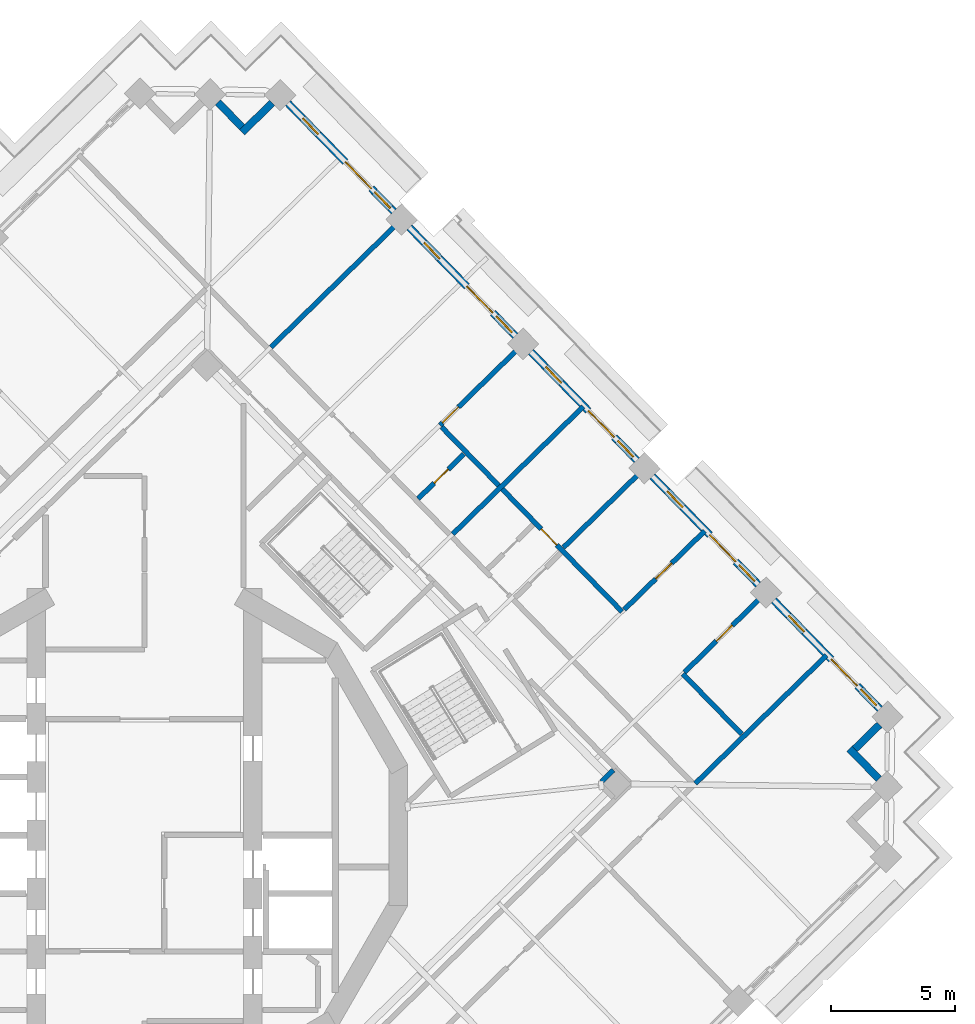
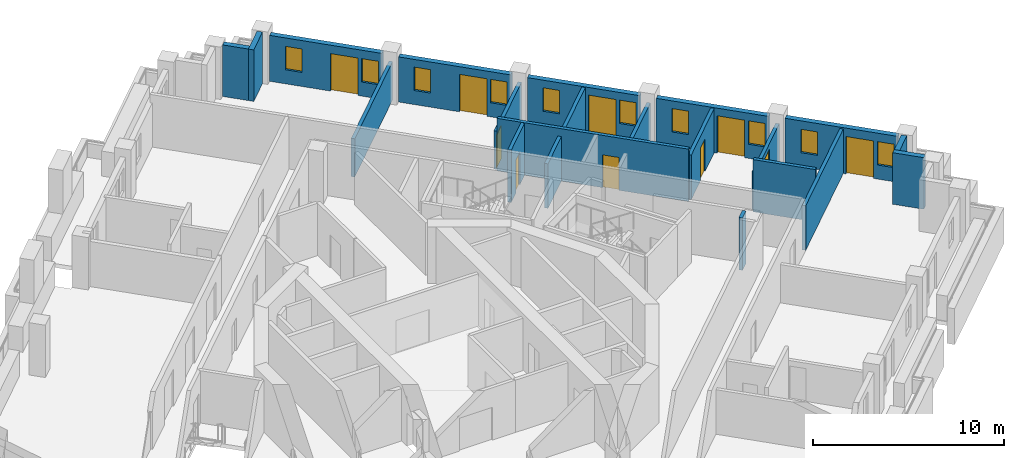
# One storey, part 10 of 17: 20 walls, 10 doors, 10 windows, 20 openings.
"""IFC4 building model written with IfcOpenShell, lengths in metres."""

import ifcopenshell
import ifcopenshell.guid

model = None  # the IFC model being written
_history = None  # IfcOwnerHistory: only IFC2X3 demands one
_inside = {}  # id of a spatial element -> (the spatial element, [elements in it])
_under = {}  # id of a project, library or spatial element -> (it, [spatial elements below it])
_declared = {}  # id of a project -> (the project, [libraries it declares])
_typed = {}  # id of a type object -> (the type object, [elements of that type])
_made_of = {}  # id of a material, layer set ... -> (it, [elements and type objects made of it])


def new_model(schema):
    """Start an empty IFC model of exactly this schema.

    Asked for "IFC4X3", IfcOpenShell would pick the latest addendum, in which some entities
    have other attributes; the version numbers below select the first issue.
    IFC2X3 requires an IfcOwnerHistory on every rooted entity: one is made here for all.
    """
    global model, _history
    if schema == "IFC4X3":
        model = ifcopenshell.file(schema_version=(4, 3, 0, 0))
    else:
        model = ifcopenshell.file(schema=schema)
    _inside.clear()
    _under.clear()
    _declared.clear()
    _typed.clear()
    _made_of.clear()
    _history = None
    if model.schema == "IFC2X3":
        org = make("IfcOrganization", Name="unknown")
        user = make(
            "IfcPersonAndOrganization",
            ThePerson=make("IfcPerson", FamilyName="unknown"),
            TheOrganization=org,
        )
        app = make(
            "IfcApplication",
            ApplicationDeveloper=org,
            Version="unknown",
            ApplicationFullName="unknown",
            ApplicationIdentifier="unknown",
        )
        _history = make(
            "IfcOwnerHistory",
            OwningUser=user,
            OwningApplication=app,
            ChangeAction="ADDED",
            CreationDate=0,
        )
    return model


def make(cls, **values):
    """One entity of the class cls with the attributes given. An attribute that is None is left unset."""
    return model.create_entity(
        cls, **{name: value for name, value in values.items() if value is not None}
    )


def rooted(cls, **values):
    """An entity with a GlobalId (a new one), such as an element, a storey or a relation."""
    return make(cls, GlobalId=ifcopenshell.guid.new(), OwnerHistory=_history, **values)


def si_unit(unit_type, name, prefix=None):
    """IfcSIUnit, for example si_unit("LENGTHUNIT", "METRE", prefix="MILLI")."""
    return make("IfcSIUnit", UnitType=unit_type, Prefix=prefix, Name=name)


def assignment(units):
    """IfcUnitAssignment: the units of a project."""
    return None if units is None else make("IfcUnitAssignment", Units=units)


def point(xyz):
    """IfcCartesianPoint."""
    return None if xyz is None else make("IfcCartesianPoint", Coordinates=xyz)


def direction(xyz):
    """IfcDirection."""
    return None if xyz is None else make("IfcDirection", DirectionRatios=xyz)


def frame(location, z_axis=None, x_axis=None):
    """IfcAxis2Placement3D, a coordinate frame: its origin and axes. An axis left out is left unset."""
    return make(
        "IfcAxis2Placement3D",
        Location=point(location),
        Axis=direction(z_axis),
        RefDirection=direction(x_axis),
    )


def frame_2d(location, x_axis=None):
    """IfcAxis2Placement2D, a coordinate frame in the plane: its origin and x axis."""
    return make(
        "IfcAxis2Placement2D", Location=point(location), RefDirection=direction(x_axis)
    )


def origin():
    """The frame at (0, 0, 0) with its axes left unset."""
    return frame((0.0, 0.0, 0.0))


def place(relative_to, where):
    """IfcLocalPlacement: puts the frame where relative to a parent placement (None: the world)."""
    return make(
        "IfcLocalPlacement", PlacementRelTo=relative_to, RelativePlacement=where
    )


def context(
    kind, dimensions, precision=None, world=None, true_north=None, identifier=None
):
    """IfcGeometricRepresentationContext, for example the 3D "Model" context."""
    return make(
        "IfcGeometricRepresentationContext",
        ContextIdentifier=identifier,
        ContextType=kind,
        CoordinateSpaceDimension=dimensions,
        Precision=precision,
        WorldCoordinateSystem=world,
        TrueNorth=true_north,
    )


def subcontext(parent, identifier, kind, view, scale=None):
    """IfcGeometricRepresentationSubContext, for example "Body" below "Model"."""
    return make(
        "IfcGeometricRepresentationSubContext",
        ContextIdentifier=identifier,
        ContextType=kind,
        ParentContext=parent,
        TargetScale=scale,
        TargetView=view,
    )


def project(units=None, contexts=None):
    """IfcProject with its units and contexts."""
    return rooted(
        "IfcProject",
        Name="project",
        RepresentationContexts=contexts,
        UnitsInContext=assignment(units),
    )


def spatial(cls, under=None, at=None, **own):
    """A site, building, storey or space (cls), placed at a placement, below another one or the project."""
    s = rooted(cls, ObjectPlacement=at, **own)
    if under is not None:
        _under.setdefault(under.id(), (under, []))[1].append(s)
    return s


def profile(cls, at=None, kind="AREA", **sizes):
    """A parametric profile (cls). Its sizes go by their IFC names, for example OverallWidth=200.0."""
    return make(cls, ProfileType=kind, Position=at, **sizes)


def rectangle(**sizes):
    """IfcRectangleProfileDef."""
    return profile("IfcRectangleProfileDef", **sizes)


def extrude(swept, where, along, depth):
    """IfcExtrudedAreaSolid: the profile swept, set in the frame where, extruded along a direction by depth."""
    return make(
        "IfcExtrudedAreaSolid",
        SweptArea=swept,
        Position=where,
        ExtrudedDirection=direction(along),
        Depth=depth,
    )


def shape(context_of_items, identifier, shape_type, items):
    """IfcShapeRepresentation: the items that make up one representation, for example the "Body"."""
    return make(
        "IfcShapeRepresentation",
        ContextOfItems=context_of_items,
        RepresentationIdentifier=identifier,
        RepresentationType=shape_type,
        Items=items,
    )


def material(Name=None, Category=None):
    """IfcMaterial."""
    return make("IfcMaterial", Name=Name, Category=Category)


def layer(
    of_material, thickness, ventilated=None, Name=None, Category=None, Priority=None
):
    """IfcMaterialLayer: one layer of a wall or slab, of a material (None: an air gap)."""
    return make(
        "IfcMaterialLayer",
        Material=of_material,
        LayerThickness=thickness,
        IsVentilated=ventilated,
        Name=Name,
        Category=Category,
        Priority=Priority,
    )


def layer_set(layers, Name=None):
    """IfcMaterialLayerSet."""
    return make("IfcMaterialLayerSet", MaterialLayers=layers, LayerSetName=Name)


def made_of(thing, what):
    """Note that an element or type object is made of a material, layer set ...; save() writes the relation."""
    if what is not None:
        _made_of.setdefault(what.id(), (what, []))[1].append(thing)
    return thing


def type_object(cls, material=None, **own):
    """A type object (cls), such as IfcWallType, which elements share."""
    return made_of(rooted(cls, **own), material)


def element(
    cls,
    number,
    at=None,
    inside=None,
    cuts=None,
    type_object=None,
    material=None,
    context=None,
    identifier="Body",
    shape_type=None,
    held_by="IfcProductDefinitionShape",
    body=None,
    shapes=None,
    **own,
):
    """One element of the class cls, such as IfcWall. Its Tag is "e" and its number.

    at: its placement. inside: the storey or other place that contains it. cuts: it is an
    opening in that element (IfcRelVoidsElement). A single representation is given by context,
    identifier, shape_type and body (its items); several are given by shapes. held_by: the class
    of the entity that holds the representations. save() writes the other relations.
    """
    e = rooted(cls, Tag="e%d" % number, ObjectPlacement=at, **own)
    if body is not None:
        shapes = [shape(context, identifier, shape_type, body)]
    if shapes is not None:
        e.Representation = make(held_by, Representations=shapes)
    if inside is not None:
        _inside.setdefault(inside.id(), (inside, []))[1].append(e)
    if cuts is not None:
        rooted(
            "IfcRelVoidsElement", RelatingBuildingElement=cuts, RelatedOpeningElement=e
        )
    if type_object is not None:
        _typed.setdefault(type_object.id(), (type_object, []))[1].append(e)
    return made_of(e, material)


def fill(opening, filler):
    """IfcRelFillsElement: the door or window that sits in an opening."""
    return rooted(
        "IfcRelFillsElement",
        RelatingOpeningElement=opening,
        RelatedBuildingElement=filler,
    )


def aggregate(whole, parts):
    """IfcRelAggregates: a whole, such as a stair, and the parts it consists of."""
    return rooted("IfcRelAggregates", RelatingObject=whole, RelatedObjects=parts)


def save(model, path):
    """Write the relations noted so far, then the file.

    IfcRelAggregates (storeys below a building ...), IfcRelContainedInSpatialStructure (elements
    in a storey), IfcRelDefinesByType, IfcRelAssociatesMaterial and IfcRelDeclares: one each for
    every whole, place, type object, material and project.
    """
    for whole, parts in _under.values():
        aggregate(whole, parts)
    for where, things in _inside.values():
        rooted(
            "IfcRelContainedInSpatialStructure",
            RelatedElements=things,
            RelatingStructure=where,
        )
    for kind, things in _typed.values():
        rooted("IfcRelDefinesByType", RelatedObjects=things, RelatingType=kind)
    for what, things in _made_of.values():
        rooted("IfcRelAssociatesMaterial", RelatedObjects=things, RelatingMaterial=what)
    for by, libraries in _declared.values():
        rooted("IfcRelDeclares", RelatingContext=by, RelatedDefinitions=libraries)
    model.write(path)


model = new_model("IFC4")

# Units and contexts
model_context = context("Model", 3, precision=1e-05, world=origin(), true_north=direction((0.0, 1.0)))
body_context = subcontext(model_context, "Body", "Model", "MODEL_VIEW")
ifc_project = project(units=[si_unit("LENGTHUNIT", "METRE"), si_unit("AREAUNIT", "SQUARE_METRE"), si_unit("VOLUMEUNIT", "CUBIC_METRE"), si_unit("PLANEANGLEUNIT", "RADIAN"), si_unit("MASSUNIT", "GRAM", prefix="KILO")], contexts=[model_context])

# Site, building, storey
site_placement = place(None, origin())
site = spatial("IfcSite", under=ifc_project, at=site_placement, CompositionType="ELEMENT")
building_placement = place(site_placement, origin())
building = spatial("IfcBuilding", under=site, at=building_placement, Name="Cantera Rosa Tower", CompositionType="ELEMENT")
storey_placement = place(building_placement, frame((0.0, 0.0, 227.0)))
storey = spatial("IfcBuildingStorey", under=building, at=storey_placement, Name="L49", CompositionType="ELEMENT", Elevation=227.0)

# Walls
ifc_material_1 = material(Name="Hollow clay masonry with cantera stone cladding", Category="masonry")
ifc_layer_1 = layer(ifc_material_1, 0.300048828125)
ifc_layer_set_1 = layer_set([ifc_layer_1], Name="EW-LOGGIA 300")
wall_type_1 = type_object("IfcWallType", Name="EW-LOGGIA 300", PredefinedType="SOLIDWALL", material=ifc_layer_set_1)
wall_1_placement = place(storey_placement, frame((5.15283203125, 29.56982421875, 0.0), z_axis=(0.0, 0.0, 1.0), x_axis=(-0.715316077832, -0.69880105094, 0.0)))
element("IfcWall", 1, at=wall_1_placement, inside=storey, type_object=wall_type_1, Name="EN-L49-W05a", PredefinedType="SOLIDWALL", context=body_context, shape_type="SweptSolid", body=[
    extrude(rectangle(XDim=1.699951171875, YDim=0.300048828125, at=frame_2d((0.85009765625, 0.0))), origin(), (0.0, 0.0, 1.0), 3.300048828125),
])
wall_2_placement = place(storey_placement, frame((3.939208984375, 28.593994140625, 0.0), z_axis=(0.0, 0.0, 1.0), x_axis=(-0.698861982187, 0.715256548278, 0.0)))
element("IfcWall", 2, at=wall_2_placement, inside=storey, type_object=wall_type_1, Name="EN-L49-W05b", PredefinedType="SOLIDWALL", context=body_context, shape_type="SweptSolid", body=[
    extrude(rectangle(XDim=1.39990234375, YDim=0.300048828125, at=frame_2d((0.699951171875, 0.0))), origin(), (0.0, 0.0, 1.0), 3.300048828125),
])
wall_3_placement = place(storey_placement, frame((29.65625, 2.271484375, 0.0), z_axis=(0.0, 0.0, 1.0), x_axis=(-0.698872839675, 0.715245939495, 0.0)))
element("IfcWall", 3, at=wall_3_placement, inside=storey, type_object=wall_type_1, Name="EN-L49-W27a", PredefinedType="SOLIDWALL", context=body_context, shape_type="SweptSolid", body=[
    extrude(rectangle(XDim=1.699951171875, YDim=0.300048828125, at=frame_2d((0.85009765625, 0.0))), origin(), (0.0, 0.0, 1.0), 3.300048828125),
])
wall_4_placement = place(storey_placement, frame((28.680419921875, 3.48486328125, 0.0), z_axis=(0.0, 0.0, 1.0), x_axis=(0.71516937164, 0.698951192766, 0.0)))
element("IfcWall", 4, at=wall_4_placement, inside=storey, type_object=wall_type_1, Name="EN-L49-W27b", PredefinedType="SOLIDWALL", context=body_context, shape_type="SweptSolid", body=[
    extrude(rectangle(XDim=1.39990234375, YDim=0.300048828125, at=frame_2d((0.699951171875, 0.0))), origin(), (0.0, 0.0, 1.0), 3.300048828125),
])

# Wall, openings, windows, door
ifc_material_2 = material(Name="Hollow clay masonry with cantera stone cladding", Category="masonry")
ifc_layer_2 = layer(ifc_material_2, 0.300048828125)
ifc_layer_set_2 = layer_set([ifc_layer_2], Name="EW-LOGGIA 300 H2890")
wall_type_2 = type_object("IfcWallType", Name="EW-LOGGIA 300 H2890", PredefinedType="SOLIDWALL", material=ifc_layer_set_2)
wall_5_placement = place(storey_placement, frame((24.783203125, 10.120849609375, 0.0), z_axis=(0.0, 0.0, 1.0), x_axis=(-0.698800768177, 0.715316354067, 0.0)))
wall_5 = element("IfcWall", 5, at=wall_5_placement, inside=storey, type_object=wall_type_2, Name="EN-L49-W01", PredefinedType="SOLIDWALL", context=body_context, shape_type="SweptSolid", body=[
    extrude(rectangle(XDim=6.119873046875, YDim=0.300048828125, at=frame_2d((3.06005859375, 0.0))), origin(), (0.0, 0.0, 1.0), 2.889892578125),
])
opening_1_placement = place(wall_5_placement, frame((0.199951171875, 0.0, 0.89990234375)))
opening_1 = element("IfcOpeningElement", 6, at=opening_1_placement, cuts=wall_5, Name="Opening L49-W01", PredefinedType="OPENING", context=body_context, shape_type="SweptSolid", body=[
    extrude(rectangle(XDim=0.89990234375, YDim=1.5, at=frame_2d((0.449951171875, 0.75))), frame((0.0, 0.159912109375, 0.0), z_axis=(0.0, -1.0, 0.0), x_axis=(1.0, 0.0, 0.0)), (0.0, 0.0, 1.0), 0.320068359375),
])
opening_2_placement = place(wall_5_placement, frame((1.300048828125, 0.0, 0.0)))
opening_2 = element("IfcOpeningElement", 7, at=opening_2_placement, cuts=wall_5, Name="Opening L49-TD02", PredefinedType="OPENING", context=body_context, shape_type="SweptSolid", body=[
    extrude(rectangle(XDim=1.5, YDim=2.39990234375, at=frame_2d((0.75, 1.199951171875))), frame((0.0, 0.159912109375, 0.0), z_axis=(0.0, -1.0, 0.0), x_axis=(1.0, 0.0, 0.0)), (0.0, 0.0, 1.0), 0.320068359375),
])
opening_3_placement = place(wall_5_placement, frame((4.364990234375, 0.0, 0.89990234375)))
opening_3 = element("IfcOpeningElement", 8, at=opening_3_placement, cuts=wall_5, Name="Opening L49-W03", PredefinedType="OPENING", context=body_context, shape_type="SweptSolid", body=[
    extrude(rectangle(XDim=0.89990234375, YDim=1.5, at=frame_2d((0.449951171875, 0.75))), frame((0.0, 0.159912109375, 0.0), z_axis=(0.0, -1.0, 0.0), x_axis=(1.0, 0.0, 0.0)), (0.0, 0.0, 1.0), 0.320068359375),
])
ifc_material_3 = material(Name="Aluminium frame with clear glass", Category="aluminium")
window_type = type_object("IfcWindowType", Name="Residential window 900x1500", PartitioningType="SINGLE_PANEL", PredefinedType="WINDOW", material=ifc_material_3)
window_1_placement = place(opening_1_placement, origin())
window_1 = element("IfcWindow", 9, at=window_1_placement, inside=storey, type_object=window_type, Name="WINDOW L49-W01", OverallHeight=1.5, OverallWidth=0.89990234375, PartitioningType="SINGLE_PANEL", PredefinedType="WINDOW", context=body_context, shape_type="SweptSolid", body=[
    extrude(rectangle(XDim=0.89990234375, YDim=1.5, at=frame_2d((0.449951171875, 0.75))), frame((0.0, 0.030029296875, 0.0), z_axis=(0.0, -1.0, 0.0), x_axis=(1.0, 0.0, 0.0)), (0.0, 0.0, 1.0), 0.06005859375),
])
fill(opening_1, window_1)
window_2_placement = place(opening_3_placement, origin())
window_2 = element("IfcWindow", 10, at=window_2_placement, inside=storey, type_object=window_type, Name="WINDOW L49-W03", OverallHeight=1.5, OverallWidth=0.89990234375, PartitioningType="SINGLE_PANEL", PredefinedType="WINDOW", context=body_context, shape_type="SweptSolid", body=[
    extrude(rectangle(XDim=0.89990234375, YDim=1.5, at=frame_2d((0.449951171875, 0.75))), frame((0.0, 0.030029296875, 0.0), z_axis=(0.0, -1.0, 0.0), x_axis=(1.0, 0.0, 0.0)), (0.0, 0.0, 1.0), 0.06005859375),
])
fill(opening_3, window_2)
ifc_material_4 = material(Name="Aluminium frame with clear glass", Category="aluminium")
door_type_1 = type_object("IfcDoorType", Name="TD-R 1500x2400", OperationType="NOTDEFINED", PredefinedType="DOOR", material=ifc_material_4)
door_1_placement = place(opening_2_placement, origin())
door_1 = element("IfcDoor", 11, at=door_1_placement, inside=storey, type_object=door_type_1, Name="LOGGIA DOOR L49-TD02", OperationType="SLIDING_TO_LEFT", OverallHeight=2.39990234375, OverallWidth=1.5, PredefinedType="DOOR", context=body_context, shape_type="SweptSolid", body=[
    extrude(rectangle(XDim=1.5, YDim=2.39990234375, at=frame_2d((0.75, 1.199951171875))), frame((0.0, 0.02490234375, 0.0), z_axis=(0.0, -1.0, 0.0), x_axis=(1.0, 0.0, 0.0)), (0.0, 0.0, 1.0), 0.050048828125),
])
fill(opening_2, door_1)

wall_6_placement = place(storey_placement, frame((19.87744140625, 15.142333984375, 0.0), z_axis=(0.0, 0.0, 1.0), x_axis=(-0.698841120217, 0.71527693147, 0.0)))
wall_6 = element("IfcWall", 12, at=wall_6_placement, inside=storey, type_object=wall_type_2, Name="EN-L49-W02", PredefinedType="SOLIDWALL", context=body_context, shape_type="SweptSolid", body=[
    extrude(rectangle(XDim=6.119873046875, YDim=0.300048828125, at=frame_2d((3.06005859375, 0.0))), origin(), (0.0, 0.0, 1.0), 2.889892578125),
])
opening_4_placement = place(wall_6_placement, frame((0.199951171875, 0.0, 0.89990234375)))
opening_4 = element("IfcOpeningElement", 13, at=opening_4_placement, cuts=wall_6, Name="Opening L49-W04", PredefinedType="OPENING", context=body_context, shape_type="SweptSolid", body=[
    extrude(rectangle(XDim=0.89990234375, YDim=1.5, at=frame_2d((0.449951171875, 0.75))), frame((0.0, 0.159912109375, 0.0), z_axis=(0.0, -1.0, 0.0), x_axis=(1.0, 0.0, 0.0)), (0.0, 0.0, 1.0), 0.320068359375),
])
opening_5_placement = place(wall_6_placement, frame((1.300048828125, 0.0, 0.0)))
opening_5 = element("IfcOpeningElement", 14, at=opening_5_placement, cuts=wall_6, Name="Opening L49-TD05", PredefinedType="OPENING", context=body_context, shape_type="SweptSolid", body=[
    extrude(rectangle(XDim=1.5, YDim=2.39990234375, at=frame_2d((0.75, 1.199951171875))), frame((0.0, 0.159912109375, 0.0), z_axis=(0.0, -1.0, 0.0), x_axis=(1.0, 0.0, 0.0)), (0.0, 0.0, 1.0), 0.320068359375),
])
opening_6_placement = place(wall_6_placement, frame((4.364990234375, 0.0, 0.89990234375)))
opening_6 = element("IfcOpeningElement", 15, at=opening_6_placement, cuts=wall_6, Name="Opening L49-W06", PredefinedType="OPENING", context=body_context, shape_type="SweptSolid", body=[
    extrude(rectangle(XDim=0.89990234375, YDim=1.5, at=frame_2d((0.449951171875, 0.75))), frame((0.0, 0.159912109375, 0.0), z_axis=(0.0, -1.0, 0.0), x_axis=(1.0, 0.0, 0.0)), (0.0, 0.0, 1.0), 0.320068359375),
])
window_3_placement = place(opening_4_placement, origin())
window_3 = element("IfcWindow", 16, at=window_3_placement, inside=storey, type_object=window_type, Name="WINDOW L49-W04", OverallHeight=1.5, OverallWidth=0.89990234375, PartitioningType="SINGLE_PANEL", PredefinedType="WINDOW", context=body_context, shape_type="SweptSolid", body=[
    extrude(rectangle(XDim=0.89990234375, YDim=1.5, at=frame_2d((0.449951171875, 0.75))), frame((0.0, 0.030029296875, 0.0), z_axis=(0.0, -1.0, 0.0), x_axis=(1.0, 0.0, 0.0)), (0.0, 0.0, 1.0), 0.06005859375),
])
fill(opening_4, window_3)
window_4_placement = place(opening_6_placement, origin())
window_4 = element("IfcWindow", 17, at=window_4_placement, inside=storey, type_object=window_type, Name="WINDOW L49-W06", OverallHeight=1.5, OverallWidth=0.89990234375, PartitioningType="SINGLE_PANEL", PredefinedType="WINDOW", context=body_context, shape_type="SweptSolid", body=[
    extrude(rectangle(XDim=0.89990234375, YDim=1.5, at=frame_2d((0.449951171875, 0.75))), frame((0.0, 0.030029296875, 0.0), z_axis=(0.0, -1.0, 0.0), x_axis=(1.0, 0.0, 0.0)), (0.0, 0.0, 1.0), 0.06005859375),
])
fill(opening_6, window_4)
door_2_placement = place(opening_5_placement, origin())
door_2 = element("IfcDoor", 18, at=door_2_placement, inside=storey, type_object=door_type_1, Name="LOGGIA DOOR L49-TD05", OperationType="SLIDING_TO_LEFT", OverallHeight=2.39990234375, OverallWidth=1.5, PredefinedType="DOOR", context=body_context, shape_type="SweptSolid", body=[
    extrude(rectangle(XDim=1.5, YDim=2.39990234375, at=frame_2d((0.75, 1.199951171875))), frame((0.0, 0.02490234375, 0.0), z_axis=(0.0, -1.0, 0.0), x_axis=(1.0, 0.0, 0.0)), (0.0, 0.0, 1.0), 0.050048828125),
])
fill(opening_5, door_2)

wall_7_placement = place(storey_placement, frame((14.9716796875, 20.16357421875, 0.0), z_axis=(0.0, 0.0, 1.0), x_axis=(-0.698841120217, 0.71527693147, 0.0)))
wall_7 = element("IfcWall", 19, at=wall_7_placement, inside=storey, type_object=wall_type_2, Name="EN-L49-W03", PredefinedType="SOLIDWALL", context=body_context, shape_type="SweptSolid", body=[
    extrude(rectangle(XDim=6.119873046875, YDim=0.300048828125, at=frame_2d((3.06005859375, 0.0))), origin(), (0.0, 0.0, 1.0), 2.889892578125),
])
opening_7_placement = place(wall_7_placement, frame((0.199951171875, 0.0, 0.89990234375)))
opening_7 = element("IfcOpeningElement", 20, at=opening_7_placement, cuts=wall_7, Name="Opening L49-W07", PredefinedType="OPENING", context=body_context, shape_type="SweptSolid", body=[
    extrude(rectangle(XDim=0.89990234375, YDim=1.5, at=frame_2d((0.449951171875, 0.75))), frame((0.0, 0.159912109375, 0.0), z_axis=(0.0, -1.0, 0.0), x_axis=(1.0, 0.0, 0.0)), (0.0, 0.0, 1.0), 0.320068359375),
])
opening_8_placement = place(wall_7_placement, frame((1.300048828125, 0.0, 0.0)))
opening_8 = element("IfcOpeningElement", 21, at=opening_8_placement, cuts=wall_7, Name="Opening L49-TD08", PredefinedType="OPENING", context=body_context, shape_type="SweptSolid", body=[
    extrude(rectangle(XDim=1.5, YDim=2.39990234375, at=frame_2d((0.75, 1.199951171875))), frame((0.0, 0.159912109375, 0.0), z_axis=(0.0, -1.0, 0.0), x_axis=(1.0, 0.0, 0.0)), (0.0, 0.0, 1.0), 0.320068359375),
])
opening_9_placement = place(wall_7_placement, frame((4.364990234375, 0.0, 0.89990234375)))
opening_9 = element("IfcOpeningElement", 22, at=opening_9_placement, cuts=wall_7, Name="Opening L49-W09", PredefinedType="OPENING", context=body_context, shape_type="SweptSolid", body=[
    extrude(rectangle(XDim=0.89990234375, YDim=1.5, at=frame_2d((0.449951171875, 0.75))), frame((0.0, 0.159912109375, 0.0), z_axis=(0.0, -1.0, 0.0), x_axis=(1.0, 0.0, 0.0)), (0.0, 0.0, 1.0), 0.320068359375),
])
window_5_placement = place(opening_7_placement, origin())
window_5 = element("IfcWindow", 23, at=window_5_placement, inside=storey, type_object=window_type, Name="WINDOW L49-W07", OverallHeight=1.5, OverallWidth=0.89990234375, PartitioningType="SINGLE_PANEL", PredefinedType="WINDOW", context=body_context, shape_type="SweptSolid", body=[
    extrude(rectangle(XDim=0.89990234375, YDim=1.5, at=frame_2d((0.449951171875, 0.75))), frame((0.0, 0.030029296875, 0.0), z_axis=(0.0, -1.0, 0.0), x_axis=(1.0, 0.0, 0.0)), (0.0, 0.0, 1.0), 0.06005859375),
])
fill(opening_7, window_5)
window_6_placement = place(opening_9_placement, origin())
window_6 = element("IfcWindow", 24, at=window_6_placement, inside=storey, type_object=window_type, Name="WINDOW L49-W09", OverallHeight=1.5, OverallWidth=0.89990234375, PartitioningType="SINGLE_PANEL", PredefinedType="WINDOW", context=body_context, shape_type="SweptSolid", body=[
    extrude(rectangle(XDim=0.89990234375, YDim=1.5, at=frame_2d((0.449951171875, 0.75))), frame((0.0, 0.030029296875, 0.0), z_axis=(0.0, -1.0, 0.0), x_axis=(1.0, 0.0, 0.0)), (0.0, 0.0, 1.0), 0.06005859375),
])
fill(opening_9, window_6)
door_3_placement = place(opening_8_placement, origin())
door_3 = element("IfcDoor", 25, at=door_3_placement, inside=storey, type_object=door_type_1, Name="LOGGIA DOOR L49-TD08", OperationType="SLIDING_TO_LEFT", OverallHeight=2.39990234375, OverallWidth=1.5, PredefinedType="DOOR", context=body_context, shape_type="SweptSolid", body=[
    extrude(rectangle(XDim=1.5, YDim=2.39990234375, at=frame_2d((0.75, 1.199951171875))), frame((0.0, 0.02490234375, 0.0), z_axis=(0.0, -1.0, 0.0), x_axis=(1.0, 0.0, 0.0)), (0.0, 0.0, 1.0), 0.050048828125),
])
fill(opening_8, door_3)

ifc_material_5 = material(Name="Hollow clay masonry with cantera stone cladding", Category="masonry")
ifc_layer_3 = layer(ifc_material_5, 0.300048828125)
ifc_layer_set_3 = layer_set([ifc_layer_3], Name="EW-LOGGIA 300 H2940")
wall_type_3 = type_object("IfcWallType", Name="EW-LOGGIA 300 H2940", PredefinedType="SOLIDWALL", material=ifc_layer_set_3)
wall_8_placement = place(storey_placement, frame((10.06591796875, 25.184814453125, 0.0), z_axis=(0.0, 0.0, 1.0), x_axis=(-0.69882117953, 0.715296413412, 0.0)))
wall_8 = element("IfcWall", 26, at=wall_8_placement, inside=storey, type_object=wall_type_3, Name="EN-L49-W04", PredefinedType="SOLIDWALL", context=body_context, shape_type="SweptSolid", body=[
    extrude(rectangle(XDim=6.1201171875, YDim=0.300048828125, at=frame_2d((3.06005859375, 0.0))), origin(), (0.0, 0.0, 1.0), 2.93994140625),
])
opening_10_placement = place(wall_8_placement, frame((0.199951171875, 0.0, 0.89990234375)))
opening_10 = element("IfcOpeningElement", 27, at=opening_10_placement, cuts=wall_8, Name="Opening L49-W10", PredefinedType="OPENING", context=body_context, shape_type="SweptSolid", body=[
    extrude(rectangle(XDim=0.89990234375, YDim=1.5, at=frame_2d((0.449951171875, 0.75))), frame((0.0, 0.159912109375, 0.0), z_axis=(0.0, -1.0, 0.0), x_axis=(1.0, 0.0, 0.0)), (0.0, 0.0, 1.0), 0.320068359375),
])
opening_11_placement = place(wall_8_placement, frame((1.300048828125, 0.0, 0.0)))
opening_11 = element("IfcOpeningElement", 28, at=opening_11_placement, cuts=wall_8, Name="Opening L49-TD11", PredefinedType="OPENING", context=body_context, shape_type="SweptSolid", body=[
    extrude(rectangle(XDim=1.5, YDim=2.39990234375, at=frame_2d((0.75, 1.199951171875))), frame((0.0, 0.159912109375, 0.0), z_axis=(0.0, -1.0, 0.0), x_axis=(1.0, 0.0, 0.0)), (0.0, 0.0, 1.0), 0.320068359375),
])
opening_12_placement = place(wall_8_placement, frame((4.364990234375, 0.0, 0.89990234375)))
opening_12 = element("IfcOpeningElement", 29, at=opening_12_placement, cuts=wall_8, Name="Opening L49-W12", PredefinedType="OPENING", context=body_context, shape_type="SweptSolid", body=[
    extrude(rectangle(XDim=0.89990234375, YDim=1.5, at=frame_2d((0.449951171875, 0.75))), frame((0.0, 0.159912109375, 0.0), z_axis=(0.0, -1.0, 0.0), x_axis=(1.0, 0.0, 0.0)), (0.0, 0.0, 1.0), 0.320068359375),
])
window_7_placement = place(opening_10_placement, origin())
window_7 = element("IfcWindow", 30, at=window_7_placement, inside=storey, type_object=window_type, Name="WINDOW L49-W10", OverallHeight=1.5, OverallWidth=0.89990234375, PartitioningType="SINGLE_PANEL", PredefinedType="WINDOW", context=body_context, shape_type="SweptSolid", body=[
    extrude(rectangle(XDim=0.89990234375, YDim=1.5, at=frame_2d((0.449951171875, 0.75))), frame((0.0, 0.030029296875, 0.0), z_axis=(0.0, -1.0, 0.0), x_axis=(1.0, 0.0, 0.0)), (0.0, 0.0, 1.0), 0.06005859375),
])
fill(opening_10, window_7)
window_8_placement = place(opening_12_placement, origin())
window_8 = element("IfcWindow", 31, at=window_8_placement, inside=storey, type_object=window_type, Name="WINDOW L49-W12", OverallHeight=1.5, OverallWidth=0.89990234375, PartitioningType="SINGLE_PANEL", PredefinedType="WINDOW", context=body_context, shape_type="SweptSolid", body=[
    extrude(rectangle(XDim=0.89990234375, YDim=1.5, at=frame_2d((0.449951171875, 0.75))), frame((0.0, 0.030029296875, 0.0), z_axis=(0.0, -1.0, 0.0), x_axis=(1.0, 0.0, 0.0)), (0.0, 0.0, 1.0), 0.06005859375),
])
fill(opening_12, window_8)
door_4_placement = place(opening_11_placement, origin())
door_4 = element("IfcDoor", 32, at=door_4_placement, inside=storey, type_object=door_type_1, Name="LOGGIA DOOR L49-TD11", OperationType="SLIDING_TO_LEFT", OverallHeight=2.39990234375, OverallWidth=1.5, PredefinedType="DOOR", context=body_context, shape_type="SweptSolid", body=[
    extrude(rectangle(XDim=1.5, YDim=2.39990234375, at=frame_2d((0.75, 1.199951171875))), frame((0.0, 0.02490234375, 0.0), z_axis=(0.0, -1.0, 0.0), x_axis=(1.0, 0.0, 0.0)), (0.0, 0.0, 1.0), 0.050048828125),
])
fill(opening_11, door_4)

wall_9_placement = place(storey_placement, frame((29.689208984375, 5.099609375, 0.0), z_axis=(0.0, 0.0, 1.0), x_axis=(-0.69882117953, 0.715296413412, 0.0)))
wall_9 = element("IfcWall", 33, at=wall_9_placement, inside=storey, type_object=wall_type_3, Name="EN-L49-W28", PredefinedType="SOLIDWALL", context=body_context, shape_type="SweptSolid", body=[
    extrude(rectangle(XDim=6.1201171875, YDim=0.300048828125, at=frame_2d((3.06005859375, 0.0))), origin(), (0.0, 0.0, 1.0), 2.93994140625),
])
opening_13_placement = place(wall_9_placement, frame((0.199951171875, 0.0, 0.89990234375)))
opening_13 = element("IfcOpeningElement", 34, at=opening_13_placement, cuts=wall_9, Name="Opening L49-W52", PredefinedType="OPENING", context=body_context, shape_type="SweptSolid", body=[
    extrude(rectangle(XDim=0.89990234375, YDim=1.5, at=frame_2d((0.449951171875, 0.75))), frame((0.0, 0.159912109375, 0.0), z_axis=(0.0, -1.0, 0.0), x_axis=(1.0, 0.0, 0.0)), (0.0, 0.0, 1.0), 0.320068359375),
])
opening_14_placement = place(wall_9_placement, frame((1.300048828125, 0.0, 0.0)))
opening_14 = element("IfcOpeningElement", 35, at=opening_14_placement, cuts=wall_9, Name="Opening L49-TD53", PredefinedType="OPENING", context=body_context, shape_type="SweptSolid", body=[
    extrude(rectangle(XDim=1.5, YDim=2.39990234375, at=frame_2d((0.75, 1.199951171875))), frame((0.0, 0.159912109375, 0.0), z_axis=(0.0, -1.0, 0.0), x_axis=(1.0, 0.0, 0.0)), (0.0, 0.0, 1.0), 0.320068359375),
])
opening_15_placement = place(wall_9_placement, frame((4.364990234375, 0.0, 0.89990234375)))
opening_15 = element("IfcOpeningElement", 36, at=opening_15_placement, cuts=wall_9, Name="Opening L49-W54", PredefinedType="OPENING", context=body_context, shape_type="SweptSolid", body=[
    extrude(rectangle(XDim=0.89990234375, YDim=1.5, at=frame_2d((0.449951171875, 0.75))), frame((0.0, 0.159912109375, 0.0), z_axis=(0.0, -1.0, 0.0), x_axis=(1.0, 0.0, 0.0)), (0.0, 0.0, 1.0), 0.320068359375),
])
window_9_placement = place(opening_13_placement, origin())
window_9 = element("IfcWindow", 37, at=window_9_placement, inside=storey, type_object=window_type, Name="WINDOW L49-W52", OverallHeight=1.5, OverallWidth=0.89990234375, PartitioningType="SINGLE_PANEL", PredefinedType="WINDOW", context=body_context, shape_type="SweptSolid", body=[
    extrude(rectangle(XDim=0.89990234375, YDim=1.5, at=frame_2d((0.449951171875, 0.75))), frame((0.0, 0.030029296875, 0.0), z_axis=(0.0, -1.0, 0.0), x_axis=(1.0, 0.0, 0.0)), (0.0, 0.0, 1.0), 0.06005859375),
])
fill(opening_13, window_9)
window_10_placement = place(opening_15_placement, origin())
window_10 = element("IfcWindow", 38, at=window_10_placement, inside=storey, type_object=window_type, Name="WINDOW L49-W54", OverallHeight=1.5, OverallWidth=0.89990234375, PartitioningType="SINGLE_PANEL", PredefinedType="WINDOW", context=body_context, shape_type="SweptSolid", body=[
    extrude(rectangle(XDim=0.89990234375, YDim=1.5, at=frame_2d((0.449951171875, 0.75))), frame((0.0, 0.030029296875, 0.0), z_axis=(0.0, -1.0, 0.0), x_axis=(1.0, 0.0, 0.0)), (0.0, 0.0, 1.0), 0.06005859375),
])
fill(opening_15, window_10)
door_5_placement = place(opening_14_placement, origin())
door_5 = element("IfcDoor", 39, at=door_5_placement, inside=storey, type_object=door_type_1, Name="LOGGIA DOOR L49-TD53", OperationType="SLIDING_TO_LEFT", OverallHeight=2.39990234375, OverallWidth=1.5, PredefinedType="DOOR", context=body_context, shape_type="SweptSolid", body=[
    extrude(rectangle(XDim=1.5, YDim=2.39990234375, at=frame_2d((0.75, 1.199951171875))), frame((0.0, 0.02490234375, 0.0), z_axis=(0.0, -1.0, 0.0), x_axis=(1.0, 0.0, 0.0)), (0.0, 0.0, 1.0), 0.050048828125),
])
fill(opening_14, door_5)

# Wall
ifc_material_6 = material(Name="Gypsum board partition")
ifc_layer_4 = layer(ifc_material_6, 0.199951171875)
ifc_layer_set_4 = layer_set([ifc_layer_4], Name="PARTITION 200 H2450")
wall_type_4 = type_object("IfcWallType", Name="PARTITION 200 H2450", PredefinedType="PARTITIONING", material=ifc_layer_set_4)
wall_10_placement = place(storey_placement, frame((5.1015625, 19.70556640625, 0.0), z_axis=(0.0, 0.0, 1.0), x_axis=(0.715280026246, 0.698837952642, 0.0)))
element("IfcWall", 40, at=wall_10_placement, inside=storey, type_object=wall_type_4, Name="PARTITION L49-079", PredefinedType="PARTITIONING", context=body_context, shape_type="SweptSolid", body=[
    extrude(rectangle(XDim=7.35009765625, YDim=0.199951171875, at=frame_2d((3.675048828125, 0.0))), origin(), (0.0, 0.0, 1.0), 2.449951171875),
])

# Wall, opening, door
wall_11_placement = place(storey_placement, frame((11.92431640625, 16.55712890625, 0.0), z_axis=(0.0, 0.0, 1.0), x_axis=(0.715266781779, 0.698851508465, 0.0)))
wall_11 = element("IfcWall", 41, at=wall_11_placement, inside=storey, type_object=wall_type_4, Name="PARTITION L49-100", PredefinedType="PARTITIONING", context=body_context, shape_type="SweptSolid", body=[
    extrude(rectangle(XDim=4.670166015625, YDim=0.199951171875, at=frame_2d((2.3349609375, 0.0))), origin(), (0.0, 0.0, 1.0), 2.449951171875),
])
opening_16_placement = place(wall_11_placement, frame((0.14990234375, 0.0, 0.0)))
opening_16 = element("IfcOpeningElement", 42, at=opening_16_placement, cuts=wall_11, Name="Opening L49-033", PredefinedType="OPENING", context=body_context, shape_type="SweptSolid", body=[
    extrude(rectangle(XDim=0.89990234375, YDim=2.10009765625, at=frame_2d((0.449951171875, 1.050048828125))), frame((0.0, 0.10986328125, 0.0), z_axis=(0.0, -1.0, 0.0), x_axis=(1.0, 0.0, 0.0)), (0.0, 0.0, 1.0), 0.219970703125),
])
ifc_material_7 = material(Name="Timber door leaf", Category="wood")
door_type_2 = type_object("IfcDoorType", Name="ROOM DOOR 900x2100", OperationType="NOTDEFINED", PredefinedType="DOOR", material=ifc_material_7)
door_6_placement = place(opening_16_placement, origin())
door_6 = element("IfcDoor", 43, at=door_6_placement, inside=storey, type_object=door_type_2, Name="DOOR L49-033", OperationType="NOTDEFINED", OverallHeight=2.10009765625, OverallWidth=0.89990234375, PredefinedType="DOOR", context=body_context, shape_type="SweptSolid", body=[
    extrude(rectangle(XDim=0.89990234375, YDim=2.10009765625, at=frame_2d((0.449951171875, 1.050048828125))), frame((0.0, 0.02490234375, 0.0), z_axis=(0.0, -1.0, 0.0), x_axis=(1.0, 0.0, 0.0)), (0.0, 0.0, 1.0), 0.050048828125),
])
fill(opening_16, door_6)

# Wall
wall_12_placement = place(storey_placement, frame((20.17041015625, 14.79931640625, 0.0), z_axis=(0.0, 0.0, 1.0), x_axis=(-0.715268883314, -0.698849357561, 0.0)))
element("IfcWall", 44, at=wall_12_placement, inside=storey, type_object=wall_type_4, Name="PARTITION L49-118", PredefinedType="PARTITIONING", context=body_context, shape_type="SweptSolid", body=[
    extrude(rectangle(XDim=4.5498046875, YDim=0.199951171875, at=frame_2d((2.27490234375, 0.0))), origin(), (0.0, 0.0, 1.0), 2.449951171875),
])

# Wall, opening, door
wall_13_placement = place(storey_placement, frame((25.076416015625, 9.778076171875, 0.0), z_axis=(0.0, 0.0, 1.0), x_axis=(-0.71528612383, -0.698831711541, 0.0)))
wall_13 = element("IfcWall", 45, at=wall_13_placement, inside=storey, type_object=wall_type_4, Name="PARTITION L49-121", PredefinedType="PARTITIONING", context=body_context, shape_type="SweptSolid", body=[
    extrude(rectangle(XDim=4.56982421875, YDim=0.199951171875, at=frame_2d((2.284912109375, 0.0))), origin(), (0.0, 0.0, 1.0), 2.449951171875),
])
opening_17_placement = place(wall_13_placement, frame((1.8701171875, 0.0, 0.0)))
opening_17 = element("IfcOpeningElement", 46, at=opening_17_placement, cuts=wall_13, Name="Opening L49-030", PredefinedType="OPENING", context=body_context, shape_type="SweptSolid", body=[
    extrude(rectangle(XDim=0.89990234375, YDim=2.10009765625, at=frame_2d((0.449951171875, 1.050048828125))), frame((0.0, 0.10986328125, 0.0), z_axis=(0.0, -1.0, 0.0), x_axis=(1.0, 0.0, 0.0)), (0.0, 0.0, 1.0), 0.219970703125),
])
door_7_placement = place(opening_17_placement, origin())
door_7 = element("IfcDoor", 47, at=door_7_placement, inside=storey, type_object=door_type_2, Name="DOOR L49-030", OperationType="NOTDEFINED", OverallHeight=2.10009765625, OverallWidth=0.89990234375, PredefinedType="DOOR", context=body_context, shape_type="SweptSolid", body=[
    extrude(rectangle(XDim=0.89990234375, YDim=2.10009765625, at=frame_2d((0.449951171875, 1.050048828125))), frame((0.0, 0.02490234375, 0.0), z_axis=(0.0, -1.0, 0.0), x_axis=(1.0, 0.0, 0.0)), (0.0, 0.0, 1.0), 0.050048828125),
])
fill(opening_17, door_7)

ifc_material_8 = material(Name="Gypsum board partition")
ifc_layer_5 = layer(ifc_material_8, 0.199951171875)
ifc_layer_set_5 = layer_set([ifc_layer_5], Name="PARTITION 200 H2850")
wall_type_5 = type_object("IfcWallType", Name="PARTITION 200 H2850", PredefinedType="PARTITIONING", material=ifc_layer_set_5)
wall_14_placement = place(storey_placement, frame((22.623291015625, 12.288818359375, 0.0), z_axis=(0.0, 0.0, 1.0), x_axis=(-0.715268883314, -0.698849357561, 0.0)))
wall_14 = element("IfcWall", 48, at=wall_14_placement, inside=storey, type_object=wall_type_5, Name="PARTITION L49-120", PredefinedType="PARTITIONING", context=body_context, shape_type="SweptSolid", body=[
    extrude(rectangle(XDim=4.5498046875, YDim=0.199951171875, at=frame_2d((2.27490234375, 0.0))), origin(), (0.0, 0.0, 1.0), 2.85009765625),
])
opening_18_placement = place(wall_14_placement, frame((1.8701171875, 0.0, 0.0)))
opening_18 = element("IfcOpeningElement", 49, at=opening_18_placement, cuts=wall_14, Name="Opening L49-029", PredefinedType="OPENING", context=body_context, shape_type="SweptSolid", body=[
    extrude(rectangle(XDim=0.89990234375, YDim=2.10009765625, at=frame_2d((0.449951171875, 1.050048828125))), frame((0.0, 0.10986328125, 0.0), z_axis=(0.0, -1.0, 0.0), x_axis=(1.0, 0.0, 0.0)), (0.0, 0.0, 1.0), 0.219970703125),
])
door_8_placement = place(opening_18_placement, origin())
door_8 = element("IfcDoor", 50, at=door_8_placement, inside=storey, type_object=door_type_2, Name="DOOR L49-029", OperationType="NOTDEFINED", OverallHeight=2.10009765625, OverallWidth=0.89990234375, PredefinedType="DOOR", context=body_context, shape_type="SweptSolid", body=[
    extrude(rectangle(XDim=0.89990234375, YDim=2.10009765625, at=frame_2d((0.449951171875, 1.050048828125))), frame((0.0, 0.02490234375, 0.0), z_axis=(0.0, -1.0, 0.0), x_axis=(1.0, 0.0, 0.0)), (0.0, 0.0, 1.0), 0.050048828125),
])
fill(opening_18, door_8)

ifc_material_9 = material(Name="Gypsum board partition")
ifc_layer_6 = layer(ifc_material_9, 0.199951171875)
ifc_layer_set_6 = layer_set([ifc_layer_6], Name="PARTITION 200 H3350")
wall_type_6 = type_object("IfcWallType", Name="PARTITION 200 H3350", PredefinedType="PARTITIONING", material=ifc_layer_set_6)
wall_15_placement = place(storey_placement, frame((11.04833984375, 13.590087890625, 0.0), z_axis=(0.0, 0.0, 1.0), x_axis=(0.715244172938, 0.698874647615, 0.0)))
wall_15 = element("IfcWall", 51, at=wall_15_placement, inside=storey, type_object=wall_type_6, Name="PARTITION L49-096", PredefinedType="PARTITIONING", context=body_context, shape_type="SweptSolid", body=[
    extrude(rectangle(XDim=2.580078125, YDim=0.199951171875, at=frame_2d((1.2900390625, 0.0))), origin(), (0.0, 0.0, 1.0), 3.35009765625),
])
opening_19_placement = place(wall_15_placement, frame((0.89990234375, 0.0, 0.0)))
opening_19 = element("IfcOpeningElement", 52, at=opening_19_placement, cuts=wall_15, Name="Opening L49-032", PredefinedType="OPENING", context=body_context, shape_type="SweptSolid", body=[
    extrude(rectangle(XDim=0.800048828125, YDim=2.10009765625, at=frame_2d((0.39990234375, 1.050048828125))), frame((0.0, 0.10986328125, 0.0), z_axis=(0.0, -1.0, 0.0), x_axis=(1.0, 0.0, 0.0)), (0.0, 0.0, 1.0), 0.219970703125),
])
ifc_material_10 = material(Name="Timber door leaf", Category="wood")
door_type_3 = type_object("IfcDoorType", Name="BATHROOM DOOR 800x2100", OperationType="NOTDEFINED", PredefinedType="DOOR", material=ifc_material_10)
door_9_placement = place(opening_19_placement, origin())
door_9 = element("IfcDoor", 53, at=door_9_placement, inside=storey, type_object=door_type_3, Name="DOOR L49-032", OperationType="NOTDEFINED", OverallHeight=2.10009765625, OverallWidth=0.800048828125, PredefinedType="DOOR", context=body_context, shape_type="SweptSolid", body=[
    extrude(rectangle(XDim=0.800048828125, YDim=2.10009765625, at=frame_2d((0.39990234375, 1.050048828125))), frame((0.0, 0.02490234375, 0.0), z_axis=(0.0, -1.0, 0.0), x_axis=(1.0, 0.0, 0.0)), (0.0, 0.0, 1.0), 0.050048828125),
])
fill(opening_19, door_9)

wall_16_placement = place(storey_placement, frame((11.994140625, 16.485595703125, 0.0), z_axis=(0.0, 0.0, 1.0), x_axis=(0.698843147981, -0.715274950295, 0.0)))
wall_16 = element("IfcWall", 54, at=wall_16_placement, inside=storey, type_object=wall_type_6, Name="PARTITION L49-101", PredefinedType="PARTITIONING", context=body_context, shape_type="SweptSolid", body=[
    extrude(rectangle(XDim=10.43017578125, YDim=0.199951171875, at=frame_2d((5.215087890625, 0.0))), origin(), (0.0, 0.0, 1.0), 3.35009765625),
])
opening_20_placement = place(wall_16_placement, frame((5.760009765625, 0.0, 0.0)))
opening_20 = element("IfcOpeningElement", 55, at=opening_20_placement, cuts=wall_16, Name="Opening L49-028", PredefinedType="OPENING", context=body_context, shape_type="SweptSolid", body=[
    extrude(rectangle(XDim=0.89990234375, YDim=2.10009765625, at=frame_2d((0.449951171875, 1.050048828125))), frame((0.0, 0.10986328125, 0.0), z_axis=(0.0, -1.0, 0.0), x_axis=(1.0, 0.0, 0.0)), (0.0, 0.0, 1.0), 0.219970703125),
])
door_10_placement = place(opening_20_placement, origin())
door_10 = element("IfcDoor", 56, at=door_10_placement, inside=storey, type_object=door_type_2, Name="DOOR L49-028", OperationType="NOTDEFINED", OverallHeight=2.10009765625, OverallWidth=0.89990234375, PredefinedType="DOOR", context=body_context, shape_type="SweptSolid", body=[
    extrude(rectangle(XDim=0.89990234375, YDim=2.10009765625, at=frame_2d((0.449951171875, 1.050048828125))), frame((0.0, 0.02490234375, 0.0), z_axis=(0.0, -1.0, 0.0), x_axis=(1.0, 0.0, 0.0)), (0.0, 0.0, 1.0), 0.050048828125),
])
fill(opening_20, door_10)

# Walls
wall_17_placement = place(storey_placement, frame((18.932861328125, 2.62939453125, 0.0), z_axis=(0.0, 0.0, 1.0), x_axis=(-0.715493021556, -0.698619879552, 0.0)))
element("IfcWall", 57, at=wall_17_placement, inside=storey, type_object=wall_type_6, Name="PARTITION L49-116", PredefinedType="PARTITIONING", context=body_context, shape_type="SweptSolid", body=[
    extrude(rectangle(XDim=0.679931640625, YDim=0.199951171875, at=frame_2d((0.33984375, 0.0))), origin(), (0.0, 0.0, 1.0), 3.35009765625),
])
wall_18_placement = place(storey_placement, frame((21.736083984375, 6.514404296875, 0.0), z_axis=(0.0, 0.0, 1.0), x_axis=(0.698836944344, -0.715281011366, 0.0)))
element("IfcWall", 58, at=wall_18_placement, inside=storey, type_object=wall_type_6, Name="PARTITION L49-119", PredefinedType="PARTITIONING", context=body_context, shape_type="SweptSolid", body=[
    extrude(rectangle(XDim=3.39990234375, YDim=0.199951171875, at=frame_2d((1.699951171875, 0.0))), origin(), (0.0, 0.0, 1.0), 3.35009765625),
])
ifc_material_11 = material(Name="Gypsum board partition")
ifc_layer_7 = layer(ifc_material_11, 0.199951171875)
ifc_layer_set_7 = layer_set([ifc_layer_7], Name="PARTY WALL 200 H2850")
wall_type_7 = type_object("IfcWallType", Name="PARTY WALL 200 H2850", PredefinedType="PARTITIONING", material=ifc_layer_set_7)
wall_19_placement = place(storey_placement, frame((12.446044921875, 12.15966796875, 0.0), z_axis=(0.0, 0.0, 1.0), x_axis=(0.715274508116, 0.698843600557, 0.0)))
element("IfcWall", 59, at=wall_19_placement, inside=storey, type_object=wall_type_7, Name="PARTY WALL L49-105", PredefinedType="PARTITIONING", context=body_context, shape_type="SweptSolid", body=[
    extrude(rectangle(XDim=7.369873046875, YDim=0.199951171875, at=frame_2d((3.68505859375, 0.0))), origin(), (0.0, 0.0, 1.0), 2.85009765625),
])
wall_20_placement = place(storey_placement, frame((27.5361328125, 7.26025390625, 0.0), z_axis=(0.0, 0.0, 1.0), x_axis=(-0.715263182614, -0.698855192152, 0.0)))
element("IfcWall", 60, at=wall_20_placement, inside=storey, type_object=wall_type_7, Name="PARTY WALL L49-122", PredefinedType="PARTITIONING", context=body_context, shape_type="SweptSolid", body=[
    extrude(rectangle(XDim=7.409912109375, YDim=0.199951171875, at=frame_2d((3.705078125, 0.0))), origin(), (0.0, 0.0, 1.0), 2.85009765625),
])

save(model, "model.ifc")
